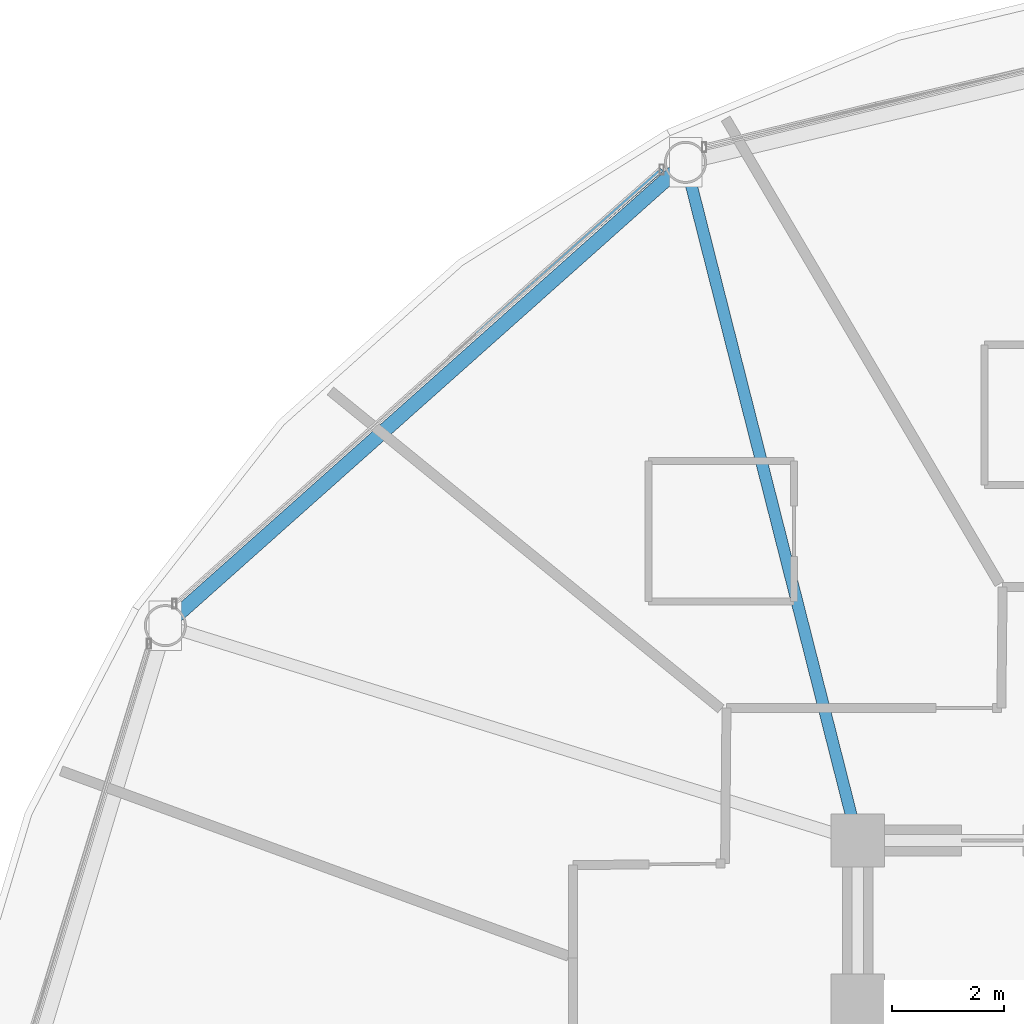
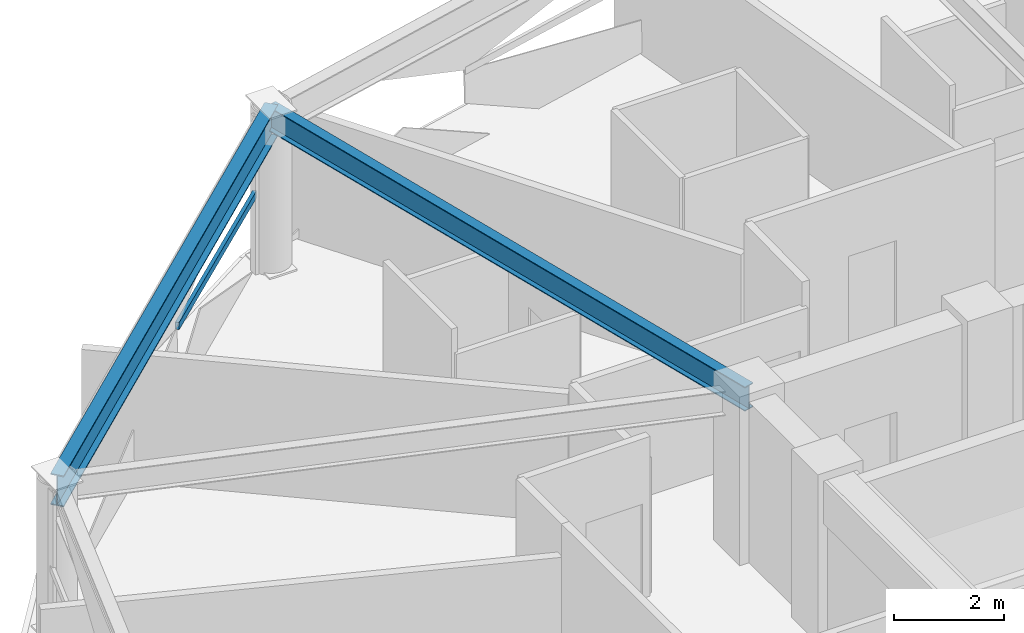
# One storey, part 15 of 31: 2 beams, 1 member, 1 element without a shape of its own.
"""IFC4 building model written with IfcOpenShell, lengths in metres."""

from ifc_helpers import new_model, si_unit, direction, frame, origin, origin_2d, place, context, subcontext, project, spatial, hollow_rectangle, i_section, extrude, material, layer, layer_set, material_profile, profile_set, type_object, element, aggregate, save


model = new_model("IFC4")

# Units and contexts
model_context = context("Model", 3, precision=1e-05, world=origin(), true_north=direction((0.0, 1.0)))
body_context = subcontext(model_context, "Body", "Model", "MODEL_VIEW")
ifc_project = project(units=[si_unit("LENGTHUNIT", "METRE"), si_unit("AREAUNIT", "SQUARE_METRE"), si_unit("VOLUMEUNIT", "CUBIC_METRE"), si_unit("PLANEANGLEUNIT", "RADIAN"), si_unit("MASSUNIT", "GRAM", prefix="KILO")], contexts=[model_context])

# Site, building, storey
site_placement = place(None, origin())
site = spatial("IfcSite", under=ifc_project, at=site_placement, CompositionType="ELEMENT")
building_placement = place(site_placement, origin())
building = spatial("IfcBuilding", under=site, at=building_placement, Name="Vantalir Tower", CompositionType="ELEMENT")
storey_placement = place(building_placement, frame((0.0, 0.0, 115.949951171875)))
storey = spatial("IfcBuildingStorey", under=building, at=storey_placement, Name="L28", CompositionType="ELEMENT", Elevation=115.949951171875)

# Beams
ifc_material_1 = material(Name="Steel S355", Category="steel")
ifc_material_profile_1 = material_profile(ifc_material_1, i_section(OverallWidth=0.2109375, OverallDepth=0.5390625, WebThickness=0.01171875, FlangeThickness=0.018798828125, at=origin_2d()), Name="Steel S355")
ifc_profile_set_1 = profile_set([ifc_material_profile_1], Name="Steel S355")
beam_type_1 = type_object("IfcBeamType", Name="BM-RB-533x210", PredefinedType="BEAM", material=ifc_profile_set_1)
beam_1_placement = place(storey_placement, frame((18.830078125, 44.54296875, 3.300048828125), z_axis=(0.246047052435, -0.969257885182, 0.0), x_axis=(0.969257885182, 0.246047052435, 0.0)))
element("IfcBeam", 1, at=beam_1_placement, inside=storey, type_object=beam_type_1, Name="L28 Radial Floor Beam 05", PredefinedType="BEAM", context=body_context, shape_type="SweptSolid", body=[
    extrude(i_section(OverallWidth=0.2109375, OverallDepth=0.5390625, WebThickness=0.01171875, FlangeThickness=0.018798828125, at=origin_2d()), origin(), (0.0, 0.0, 1.0), 12.4765625),
])
ifc_material_2 = material(Name="Steel S460", Category="steel")
ifc_material_profile_2 = material_profile(ifc_material_2, i_section(OverallWidth=0.256103515625, OverallDepth=0.693115234375, WebThickness=0.014404296875, FlangeThickness=0.023681640625, at=origin_2d()), Name="Steel S460")
ifc_profile_set_2 = profile_set([ifc_material_profile_2], Name="Steel S460")
beam_type_2 = type_object("IfcBeamType", Name="BM-RG-686x254", PredefinedType="USERDEFINED", material=ifc_profile_set_2)
beam_2_placement = place(storey_placement, frame((18.830078125, 44.54296875, 3.22314453125), z_axis=(-0.746791899704, -0.665057785862, 0.0), x_axis=(0.665057785862, -0.746791899704, 0.0)))
element("IfcBeam", 2, at=beam_2_placement, inside=storey, type_object=beam_type_2, Name="L28 Circumferential Ring Girder 05", ObjectType="GIRDER", PredefinedType="USERDEFINED", context=body_context, shape_type="SweptSolid", body=[
    extrude(i_section(OverallWidth=0.256103515625, OverallDepth=0.693115234375, WebThickness=0.014404296875, FlangeThickness=0.023681640625, at=origin_2d()), origin(), (0.0, 0.0, 1.0), 12.419921875),
])

# Curtain wall, member
ifc_material_3 = material(Name="Champagne-silver PVDF aluminium and double-silver Low-E glass", Category="aluminium")
ifc_layer = layer(ifc_material_3, 0.199951171875)
ifc_layer_set = layer_set([ifc_layer], Name="Champagne-silver PVDF aluminium and double-silver Low-E glass")
curtain_wall_type = type_object("IfcCurtainWallType", Name="CW-DIAMOND-Z2", PredefinedType="USERDEFINED", material=ifc_layer_set)
curtain_wall_placement = place(storey_placement, origin())
curtain_wall = element("IfcCurtainWall", 3, at=curtain_wall_placement, inside=storey, type_object=curtain_wall_type, Name="L28 Quilted Pyramid-Diamond Curtain Wall S05", ObjectType="UNITISED CURTAIN WALL", PredefinedType="USERDEFINED")
ifc_material_4 = material(Name="Champagne-silver PVDF aluminium 6063-T6", Category="aluminium")
ifc_material_profile_3 = material_profile(ifc_material_4, hollow_rectangle(XDim=0.074951171875, YDim=0.159912109375, WallThickness=0.00390625, at=origin_2d()), Name="Champagne-silver PVDF aluminium 6063-T6")
ifc_profile_set_3 = profile_set([ifc_material_profile_3], Name="Champagne-silver PVDF aluminium 6063-T6")
member_type = type_object("IfcMemberType", Name="CWT-160x75", PredefinedType="USERDEFINED", material=ifc_profile_set_3)
member_placement = place(storey_placement, frame((18.406982421875, 44.4140625, 1.78515625), z_axis=(-0.750237110552, -0.661168872491, 0.0), x_axis=(0.661168872491, -0.750237110552, 0.0)))
member = element("IfcMember", 4, at=member_placement, type_object=member_type, Name="CW-L28-S05 Pyramid Fold Ridge Transom", ObjectType="TRANSOM", PredefinedType="USERDEFINED", context=body_context, shape_type="SweptSolid", body=[
    extrude(hollow_rectangle(XDim=0.074951171875, YDim=0.159912109375, WallThickness=0.00390625, at=origin_2d()), origin(), (0.0, 0.0, 1.0), 4.424072265625),
])
aggregate(curtain_wall, [member])

save(model, "model.ifc")
